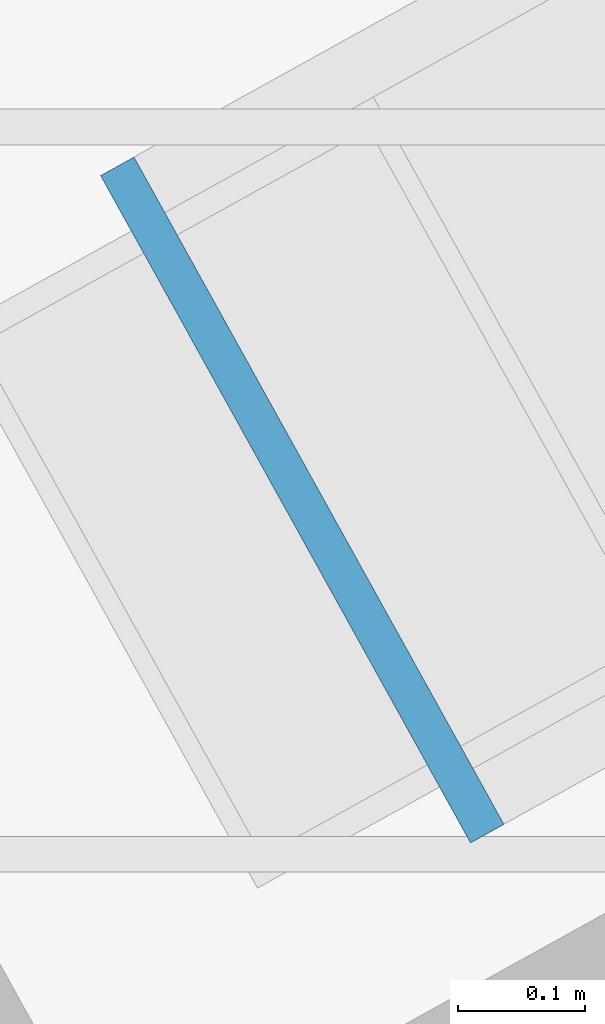
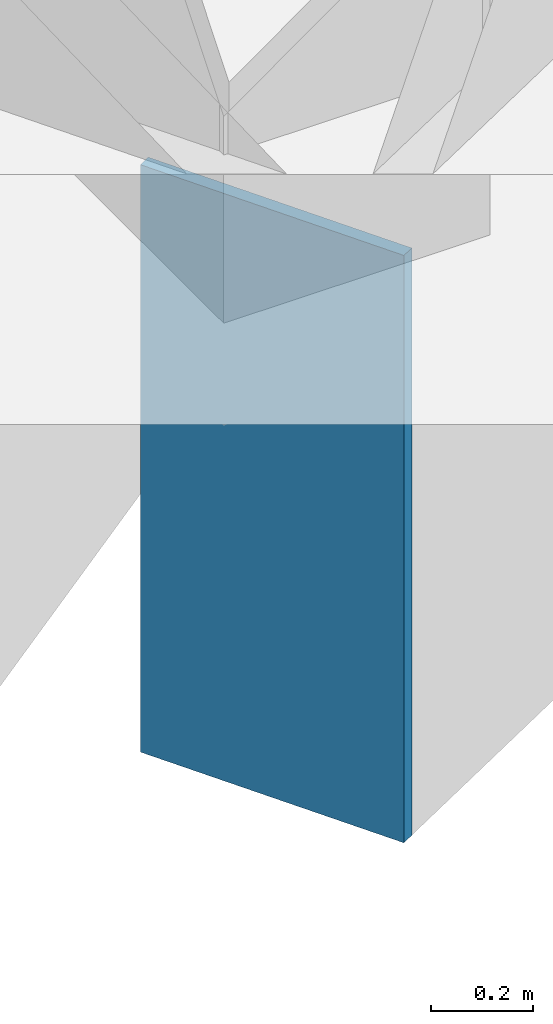
# One storey, part 14 of 27: 1 discrete accessory.
"""IFC4 building model written with IfcOpenShell, lengths in metres."""

from ifc_helpers import new_model, si_unit, direction, frame, origin, origin_2d, place, context, subcontext, project, spatial, rectangle, extrude, material, type_object, element, save


model = new_model("IFC4")

# Units and contexts
model_context = context("Model", 3, precision=1e-05, world=origin(), true_north=direction((0.0, 1.0)))
body_context = subcontext(model_context, "Body", "Model", "MODEL_VIEW")
ifc_project = project(units=[si_unit("LENGTHUNIT", "METRE"), si_unit("AREAUNIT", "SQUARE_METRE"), si_unit("VOLUMEUNIT", "CUBIC_METRE"), si_unit("PLANEANGLEUNIT", "RADIAN"), si_unit("MASSUNIT", "GRAM", prefix="KILO")], contexts=[model_context])

# Site, building, storey
site_placement = place(None, origin())
site = spatial("IfcSite", under=ifc_project, at=site_placement, CompositionType="ELEMENT")
building_placement = place(site_placement, origin())
building = spatial("IfcBuilding", under=site, at=building_placement, Name="Tuul Gate Civic Tower", CompositionType="ELEMENT")
storey_placement = place(building_placement, frame((0.0, 0.0, 201.5)))
storey = spatial("IfcBuildingStorey", under=building, at=storey_placement, Name="Wind floor 1", CompositionType="ELEMENT", Elevation=201.5)

# Discrete accessory
ifc_material = material(Name="Steel S355", Category="steel")
discrete_accessory_type = type_object("IfcDiscreteAccessoryType", Name="End cap plate", PredefinedType="BRACKET", material=ifc_material)
discrete_accessory_placement = place(storey_placement, frame((-39.425048828125, 1.585693359375, -1.800048828125), z_axis=(0.0, 0.0, 1.0), x_axis=(-0.874585469632, -0.484871381202, 0.0)))
element("IfcDiscreteAccessory", 1, at=discrete_accessory_placement, inside=storey, type_object=discrete_accessory_type, Name="End cap plate", PredefinedType="BRACKET", context=body_context, shape_type="SweptSolid", body=[
    extrude(rectangle(XDim=0.030029296875, YDim=0.60009765625, at=origin_2d()), origin(), (0.0, 0.0, 1.0), 1.39990234375),
])

save(model, "model.ifc")
